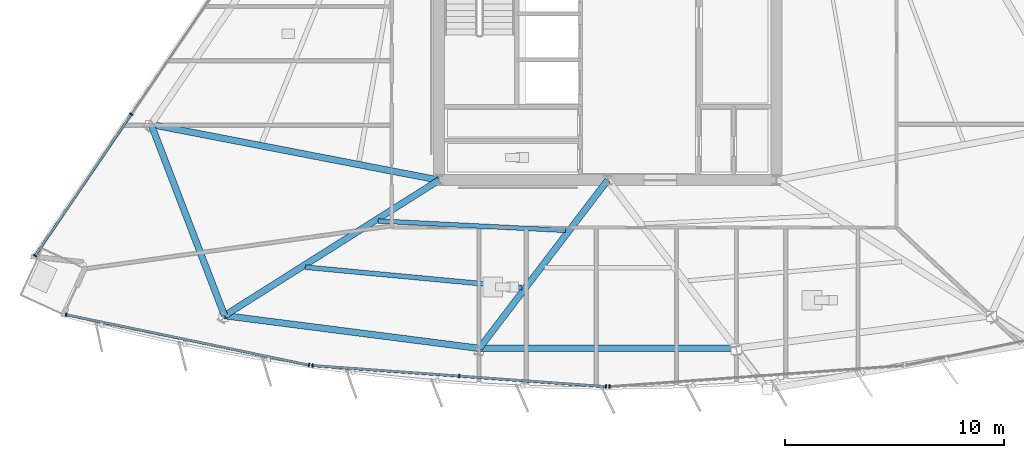
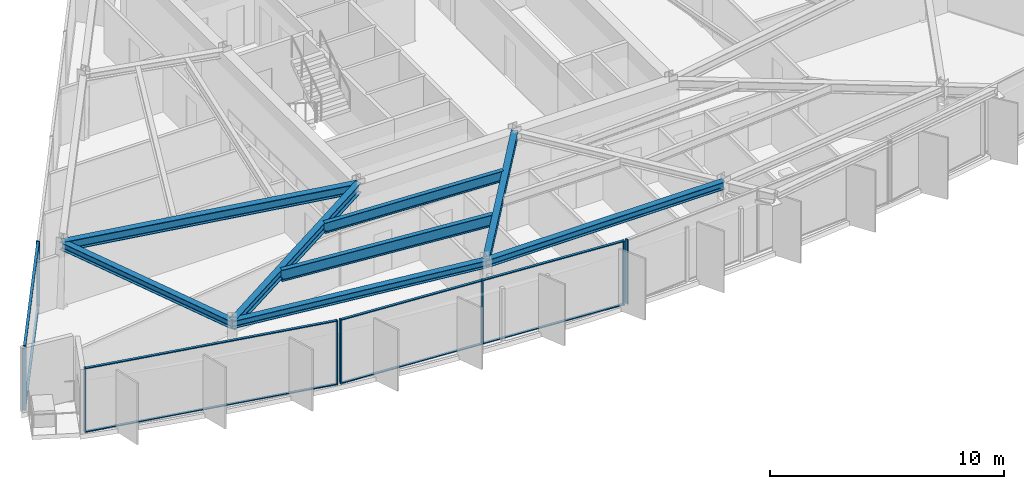
# One storey, part 2 of 15: 16 members, 8 beams, 4 elements without a shape of their own.
"""IFC4 building model written with IfcOpenShell, lengths in metres."""

from ifc_helpers import new_model, si_unit, direction, frame, origin, origin_2d, place, context, subcontext, project, spatial, rectangle, i_section, extrude, material, material_profile, profile_set, type_object, element, aggregate, save


model = new_model("IFC4")

# Units and contexts
model_context = context("Model", 3, precision=1e-05, world=origin(), true_north=direction((0.0, 1.0)))
body_context = subcontext(model_context, "Body", "Model", "MODEL_VIEW")
ifc_project = project(units=[si_unit("LENGTHUNIT", "METRE"), si_unit("AREAUNIT", "SQUARE_METRE"), si_unit("VOLUMEUNIT", "CUBIC_METRE"), si_unit("PLANEANGLEUNIT", "RADIAN"), si_unit("MASSUNIT", "GRAM", prefix="KILO")], contexts=[model_context])

# Site, building, storey
site_placement = place(None, origin())
site = spatial("IfcSite", under=ifc_project, at=site_placement, CompositionType="ELEMENT")
building_placement = place(site_placement, origin())
building = spatial("IfcBuilding", under=site, at=building_placement, Name="Savorim Split Tower", CompositionType="ELEMENT")
storey_placement = place(building_placement, frame((0.0, 0.0, 167.39990234375)))
storey = spatial("IfcBuildingStorey", under=building, at=storey_placement, Name="L44", CompositionType="ELEMENT", Elevation=167.39990234375)

# Beams
ifc_material_1 = material(Name="Steel S355", Category="steel")
ifc_material_profile_1 = material_profile(ifc_material_1, i_section(OverallWidth=0.2099609375, OverallDepth=0.550048828125, WebThickness=0.010986328125, FlangeThickness=0.01708984375, FilletRadius=0.02392578125, at=origin_2d()), Name="IPE 550")
ifc_profile_set_1 = profile_set([ifc_material_profile_1], Name="Steel S355")
beam_type_1 = type_object("IfcBeamType", Name="BM-JST-IPE550", PredefinedType="JOIST", material=ifc_profile_set_1)
beam_1_placement = place(storey_placement, frame((-10.476806640625, -11.263916015625, 3.0751953125), z_axis=(0.998732080166, -0.050341156597, 0.0), x_axis=(0.050341156597, 0.998732080166, 0.0)))
element("IfcBeam", 1, at=beam_1_placement, inside=storey, type_object=beam_type_1, Name="L44 Secondary Floor Joist JS-02", PredefinedType="JOIST", context=body_context, shape_type="SweptSolid", body=[
    extrude(i_section(OverallWidth=0.2099609375, OverallDepth=0.550048828125, WebThickness=0.010986328125, FlangeThickness=0.01708984375, FilletRadius=0.02392578125, at=origin_2d()), origin(), (0.0, 0.0, 1.0), 8.569580078125),
])
ifc_material_profile_2 = material_profile(ifc_material_1, i_section(OverallWidth=0.219970703125, OverallDepth=0.60009765625, WebThickness=0.011962890625, FlangeThickness=0.01904296875, FilletRadius=0.02392578125, at=origin_2d()), Name="IPE 600")
ifc_profile_set_2 = profile_set([ifc_material_profile_2], Name="Steel S355")
beam_type_2 = type_object("IfcBeamType", Name="BM-JST-IPE600", PredefinedType="JOIST", material=ifc_profile_set_2)
beam_2_placement = place(storey_placement, frame((-13.805419921875, -13.373779296875, 3.050048828125), z_axis=(0.995654037002, -0.093129150118, 0.0), x_axis=(0.093129150118, 0.995654037002, 0.0)))
element("IfcBeam", 2, at=beam_2_placement, inside=storey, type_object=beam_type_2, Name="L44 Secondary Floor Joist JS-01", PredefinedType="JOIST", context=body_context, shape_type="SweptSolid", body=[
    extrude(i_section(OverallWidth=0.219970703125, OverallDepth=0.60009765625, WebThickness=0.011962890625, FlangeThickness=0.01904296875, FilletRadius=0.02392578125, at=origin_2d()), origin(), (0.0, 0.0, 1.0), 9.938232421875),
])
ifc_material_profile_3 = material_profile(ifc_material_1, i_section(OverallWidth=0.300048828125, OverallDepth=0.360107421875, WebThickness=0.012451171875, FlangeThickness=0.0224609375, FilletRadius=0.027099609375, at=origin_2d()), Name="HEB 360")
ifc_profile_set_3 = profile_set([ifc_material_profile_3], Name="Steel S355")
beam_type_3 = type_object("IfcBeamType", Name="BM-PRI-HEB360", PredefinedType="BEAM", material=ifc_profile_set_3)
beam_3_placement = place(storey_placement, frame((-5.861328125, -17.07861328125, 3.170166015625), z_axis=(0.606755694111, 0.794888374342, 0.0), x_axis=(-0.794888374342, 0.606755694111, 0.0)))
element("IfcBeam", 3, at=beam_3_placement, inside=storey, type_object=beam_type_3, Name="L44 Primary Floor Girder RG-02", PredefinedType="BEAM", context=body_context, shape_type="SweptSolid", body=[
    extrude(i_section(OverallWidth=0.300048828125, OverallDepth=0.360107421875, WebThickness=0.012451171875, FlangeThickness=0.0224609375, FilletRadius=0.027099609375, at=origin_2d()), origin(), (0.0, 0.0, 1.0), 9.66015625),
])
ifc_material_profile_4 = material_profile(ifc_material_1, i_section(OverallWidth=0.300048828125, OverallDepth=0.5, WebThickness=0.014404296875, FlangeThickness=0.028076171875, FilletRadius=0.027099609375, at=origin_2d()), Name="HEB 500")
ifc_profile_set_4 = profile_set([ifc_material_profile_4], Name="Steel S355")
beam_type_4 = type_object("IfcBeamType", Name="BM-PRI-HEB500", PredefinedType="BEAM", material=ifc_profile_set_4)
beam_4_placement = place(storey_placement, frame((-17.488525390625, -15.585693359375, 3.10009765625), z_axis=(0.845351096755, 0.534211122325, 0.0), x_axis=(-0.534211122325, 0.845351096755, 0.0)))
element("IfcBeam", 4, at=beam_4_placement, inside=storey, type_object=beam_type_4, Name="L44 Primary Floor Girder RG-01", PredefinedType="BEAM", context=body_context, shape_type="SweptSolid", body=[
    extrude(i_section(OverallWidth=0.300048828125, OverallDepth=0.5, WebThickness=0.014404296875, FlangeThickness=0.028076171875, FilletRadius=0.027099609375, at=origin_2d()), origin(), (0.0, 0.0, 1.0), 11.579345703125),
])
beam_5_placement = place(storey_placement, frame((-20.840576171875, -6.858642578125, 3.10009765625), z_axis=(0.981808929705, -0.189871602804, 0.0), x_axis=(0.189871602804, 0.981808929705, 0.0)))
element("IfcBeam", 5, at=beam_5_placement, inside=storey, type_object=beam_type_4, Name="L44 Primary Floor Girder RG-10", PredefinedType="BEAM", context=body_context, shape_type="SweptSolid", body=[
    extrude(i_section(OverallWidth=0.300048828125, OverallDepth=0.5, WebThickness=0.014404296875, FlangeThickness=0.028076171875, FilletRadius=0.027099609375, at=origin_2d()), origin(), (0.0, 0.0, 1.0), 13.384033203125),
])
ifc_material_profile_5 = material_profile(ifc_material_1, i_section(OverallWidth=0.300048828125, OverallDepth=0.389892578125, WebThickness=0.010986328125, FlangeThickness=0.01904296875, FilletRadius=0.027099609375, at=origin_2d()), Name="HEA 400")
ifc_profile_set_5 = profile_set([ifc_material_profile_5], Name="Steel S355")
beam_type_5 = type_object("IfcBeamType", Name="BM-SPN-HEA400", PredefinedType="SPANDREL", material=ifc_profile_set_5)
for number, where, z_axis, x_axis, name in (
    (6, (-17.488525390625, -15.585693359375, 3.155029296875), (0.991857398579, -0.127353448657, 0.0), (0.127353448657, 0.991857398579, 0.0), "L44 Perimeter Spandrel Beam 1"),
    (7, (-5.861328125, -17.07861328125, 3.155029296875), (1.0, 0.0, 0.0), (0.0, 1.0, 0.0), "L44 Perimeter Spandrel Beam 2"),
):
    element("IfcBeam", number, at=place(storey_placement, frame(where, z_axis=z_axis, x_axis=x_axis)), inside=storey, type_object=beam_type_5, Name=name, PredefinedType="SPANDREL", context=body_context, shape_type="SweptSolid", body=[
        extrude(i_section(OverallWidth=0.300048828125, OverallDepth=0.389892578125, WebThickness=0.010986328125, FlangeThickness=0.01904296875, FilletRadius=0.027099609375, at=origin_2d()), origin(), (0.0, 0.0, 1.0), 11.72265625),
    ])
beam_6_placement = place(storey_placement, frame((-20.840576171875, -6.858642578125, 3.155029296875), z_axis=(0.358559049034, -0.933507047834, 0.0), x_axis=(0.933507047834, 0.358559049034, 0.0)))
element("IfcBeam", 8, at=beam_6_placement, inside=storey, type_object=beam_type_5, Name="L44 Perimeter Spandrel Beam 10", PredefinedType="SPANDREL", context=body_context, shape_type="SweptSolid", body=[
    extrude(i_section(OverallWidth=0.300048828125, OverallDepth=0.389892578125, WebThickness=0.010986328125, FlangeThickness=0.01904296875, FilletRadius=0.027099609375, at=origin_2d()), origin(), (0.0, 0.0, 1.0), 9.3486328125),
])

# Curtain wall, members
ifc_material_2 = material(Name="Dark Ceramic-Fritted Insulated Glass", Category="glass")
curtain_wall_type = type_object("IfcCurtainWallType", Name="CW-TWR-FRIT-B", PredefinedType="NOTDEFINED", material=ifc_material_2)
curtain_wall_1_placement = place(storey_placement, origin())
curtain_wall_1 = element("IfcCurtainWall", 9, at=curtain_wall_1_placement, inside=storey, type_object=curtain_wall_type, Name="L44 Curtain Wall CW-L44-SF1", PredefinedType="NOTDEFINED")
ifc_material_3 = material(Name="Charcoal Anodised Aluminium", Category="aluminium")
ifc_material_profile_6 = material_profile(ifc_material_3, rectangle(XDim=0.159912109375, YDim=0.06005859375, at=origin_2d()), Name="ALU-M 160x60")
ifc_profile_set_6 = profile_set([ifc_material_profile_6], Name="Charcoal Anodised Aluminium")
member_type_1 = type_object("IfcMemberType", Name="CWM-160x60", PredefinedType="MULLION", material=ifc_profile_set_6)
member_1_placement = place(storey_placement, frame((-24.722900390625, -15.541259765625, 0.0), z_axis=(0.0, 0.0, 1.0), x_axis=(0.203214073497, 0.979134332118, 0.0)))
member_1 = element("IfcMember", 10, at=member_1_placement, type_object=member_type_1, Name="CW-03 mullion 1", PredefinedType="MULLION", context=body_context, shape_type="SweptSolid", body=[
    extrude(rectangle(XDim=0.159912109375, YDim=0.06005859375, at=origin_2d()), origin(), (0.0, 0.0, 1.0), 3.35009765625),
])
member_2_placement = place(storey_placement, frame((-13.634521484375, -17.842529296875, 0.0), z_axis=(0.0, 0.0, 1.0), x_axis=(0.203214073497, 0.979134332118, 0.0)))
member_2 = element("IfcMember", 11, at=member_2_placement, type_object=member_type_1, Name="CW-03 mullion 2", PredefinedType="MULLION", context=body_context, shape_type="SweptSolid", body=[
    extrude(rectangle(XDim=0.159912109375, YDim=0.06005859375, at=origin_2d()), origin(), (0.0, 0.0, 1.0), 3.35009765625),
])

curtain_wall_2_placement = place(storey_placement, origin())
curtain_wall_2 = element("IfcCurtainWall", 12, at=curtain_wall_2_placement, inside=storey, type_object=curtain_wall_type, Name="L44 Curtain Wall CW-L44-SF2", PredefinedType="NOTDEFINED")
member_3_placement = place(storey_placement, frame((-13.472412109375, -17.865234375, 0.0), z_axis=(0.0, 0.0, 1.0), x_axis=(0.071557434275, 0.997436480985, 0.0)))
member_3 = element("IfcMember", 13, at=member_3_placement, type_object=member_type_1, Name="CW-03 mullion 1", PredefinedType="MULLION", context=body_context, shape_type="SweptSolid", body=[
    extrude(rectangle(XDim=0.159912109375, YDim=0.06005859375, at=origin_2d()), origin(), (0.0, 0.0, 1.0), 3.35009765625),
])
member_4_placement = place(storey_placement, frame((-6.77685546875, -18.345458984375, 0.0), z_axis=(0.0, 0.0, 1.0), x_axis=(0.071557434275, 0.997436480985, 0.0)))
member_4 = element("IfcMember", 14, at=member_4_placement, type_object=member_type_1, Name="CW-03 mullion 2", PredefinedType="MULLION", context=body_context, shape_type="SweptSolid", body=[
    extrude(rectangle(XDim=0.159912109375, YDim=0.06005859375, at=origin_2d()), origin(), (0.0, 0.0, 1.0), 3.35009765625),
])
member_5_placement = place(storey_placement, frame((-0.081298828125, -18.825927734375, 0.0), z_axis=(0.0, 0.0, 1.0), x_axis=(0.071557434275, 0.997436480985, 0.0)))
member_5 = element("IfcMember", 15, at=member_5_placement, type_object=member_type_1, Name="CW-03 mullion 3", PredefinedType="MULLION", context=body_context, shape_type="SweptSolid", body=[
    extrude(rectangle(XDim=0.159912109375, YDim=0.06005859375, at=origin_2d()), origin(), (0.0, 0.0, 1.0), 3.35009765625),
])

# Curtain wall, member
curtain_wall_3_placement = place(storey_placement, origin())
curtain_wall_3 = element("IfcCurtainWall", 16, at=curtain_wall_3_placement, inside=storey, type_object=curtain_wall_type, Name="L44 Curtain Wall CW-L44-SF3", PredefinedType="NOTDEFINED")
member_6_placement = place(storey_placement, frame((0.081298828125, -18.825927734375, 0.0), z_axis=(0.0, 0.0, 1.0), x_axis=(-0.071557434275, 0.997436480985, 0.0)))
member_6 = element("IfcMember", 17, at=member_6_placement, type_object=member_type_1, Name="CW-03 mullion 1", PredefinedType="MULLION", context=body_context, shape_type="SweptSolid", body=[
    extrude(rectangle(XDim=0.159912109375, YDim=0.06005859375, at=origin_2d()), origin(), (0.0, 0.0, 1.0), 3.35009765625),
])
aggregate(curtain_wall_3, [member_6])

# Curtain wall, members
curtain_wall_4_placement = place(storey_placement, origin())
curtain_wall_4 = element("IfcCurtainWall", 18, at=curtain_wall_4_placement, inside=storey, type_object=curtain_wall_type, Name="L44 Curtain Wall CW-L44-WEST", PredefinedType="NOTDEFINED")
member_7_placement = place(storey_placement, frame((-21.74560546875, -6.392333984375, 0.0), z_axis=(0.0, 0.0, 1.0), x_axis=(0.826819248854, -0.562467714384, 0.0)))
member_7 = element("IfcMember", 19, at=member_7_placement, type_object=member_type_1, Name="CW-03 mullion 4", PredefinedType="MULLION", context=body_context, shape_type="SweptSolid", body=[
    extrude(rectangle(XDim=0.159912109375, YDim=0.06005859375, at=origin_2d()), origin(), (0.0, 0.0, 1.0), 3.35009765625),
])
member_8_placement = place(storey_placement, frame((-26.13818359375, -12.849365234375, 0.0), z_axis=(0.0, 0.0, 1.0), x_axis=(0.826819248854, -0.562467714384, 0.0)))
member_8 = element("IfcMember", 20, at=member_8_placement, type_object=member_type_1, Name="CW-03 mullion 5", PredefinedType="MULLION", context=body_context, shape_type="SweptSolid", body=[
    extrude(rectangle(XDim=0.159912109375, YDim=0.06005859375, at=origin_2d()), origin(), (0.0, 0.0, 1.0), 3.35009765625),
])

# Member
ifc_material_profile_7 = material_profile(ifc_material_3, rectangle(XDim=0.1201171875, YDim=0.050048828125, at=origin_2d()), Name="ALU-T 120x50")
ifc_profile_set_7 = profile_set([ifc_material_profile_7], Name="Charcoal Anodised Aluminium")
member_type_2 = type_object("IfcMemberType", Name="CWT-120x50", PredefinedType="USERDEFINED", material=ifc_profile_set_7)
member_9_placement = place(storey_placement, frame((-24.693359375, -15.54736328125, 0.025146484375), z_axis=(0.979134488415, -0.203213320422, 0.0), x_axis=(0.203213320422, 0.979134488415, 0.0)))
member_9 = element("IfcMember", 21, at=member_9_placement, type_object=member_type_2, Name="CW-03 transom 1.1", ObjectType="TRANSOM", PredefinedType="USERDEFINED", context=body_context, shape_type="SweptSolid", body=[
    extrude(rectangle(XDim=0.1201171875, YDim=0.050048828125, at=origin_2d()), origin(), (0.0, 0.0, 1.0), 11.264404296875),
])

member_10_placement = place(storey_placement, frame((-24.693359375, -15.54736328125, 3.3251953125), z_axis=(0.979134488415, -0.203213320422, 0.0), x_axis=(0.203213320422, 0.979134488415, 0.0)))
member_10 = element("IfcMember", 22, at=member_10_placement, type_object=member_type_2, Name="CW-03 transom 1.2", ObjectType="TRANSOM", PredefinedType="USERDEFINED", context=body_context, shape_type="SweptSolid", body=[
    extrude(rectangle(XDim=0.1201171875, YDim=0.050048828125, at=origin_2d()), origin(), (0.0, 0.0, 1.0), 11.264404296875),
])

aggregate(curtain_wall_1, [member_1, member_2, member_9, member_10])

member_11_placement = place(storey_placement, frame((-13.442626953125, -17.8671875, 0.025146484375), z_axis=(0.997436296968, -0.071559999231, 0.0), x_axis=(0.071559999231, 0.997436296968, 0.0)))
member_11 = element("IfcMember", 23, at=member_11_placement, type_object=member_type_2, Name="CW-03 transom 1.1", ObjectType="TRANSOM", PredefinedType="USERDEFINED", context=body_context, shape_type="SweptSolid", body=[
    extrude(rectangle(XDim=0.1201171875, YDim=0.050048828125, at=origin_2d()), origin(), (0.0, 0.0, 1.0), 6.65283203125),
])

member_12_placement = place(storey_placement, frame((-13.442626953125, -17.8671875, 3.3251953125), z_axis=(0.997436296968, -0.071559999231, 0.0), x_axis=(0.071559999231, 0.997436296968, 0.0)))
member_12 = element("IfcMember", 24, at=member_12_placement, type_object=member_type_2, Name="CW-03 transom 1.2", ObjectType="TRANSOM", PredefinedType="USERDEFINED", context=body_context, shape_type="SweptSolid", body=[
    extrude(rectangle(XDim=0.1201171875, YDim=0.050048828125, at=origin_2d()), origin(), (0.0, 0.0, 1.0), 6.65283203125),
])

member_13_placement = place(storey_placement, frame((-6.746826171875, -18.34765625, 0.025146484375), z_axis=(0.997436296968, -0.071559999231, 0.0), x_axis=(0.071559999231, 0.997436296968, 0.0)))
member_13 = element("IfcMember", 25, at=member_13_placement, type_object=member_type_2, Name="CW-03 transom 2.1", ObjectType="TRANSOM", PredefinedType="USERDEFINED", context=body_context, shape_type="SweptSolid", body=[
    extrude(rectangle(XDim=0.1201171875, YDim=0.050048828125, at=origin_2d()), origin(), (0.0, 0.0, 1.0), 6.65283203125),
])

member_14_placement = place(storey_placement, frame((-6.746826171875, -18.34765625, 3.3251953125), z_axis=(0.997436296968, -0.071559999231, 0.0), x_axis=(0.071559999231, 0.997436296968, 0.0)))
member_14 = element("IfcMember", 26, at=member_14_placement, type_object=member_type_2, Name="CW-03 transom 2.2", ObjectType="TRANSOM", PredefinedType="USERDEFINED", context=body_context, shape_type="SweptSolid", body=[
    extrude(rectangle(XDim=0.1201171875, YDim=0.050048828125, at=origin_2d()), origin(), (0.0, 0.0, 1.0), 6.65283203125),
])

aggregate(curtain_wall_2, [member_3, member_4, member_5, member_11, member_12, member_13, member_14])

member_15_placement = place(storey_placement, frame((-21.762451171875, -6.4169921875, 0.025146484375), z_axis=(-0.56245477499, -0.826828051103, 0.0), x_axis=(0.826828051103, -0.56245477499, 0.0)))
member_15 = element("IfcMember", 27, at=member_15_placement, type_object=member_type_2, Name="CW-03 transom 4.1", ObjectType="TRANSOM", PredefinedType="USERDEFINED", context=body_context, shape_type="SweptSolid", body=[
    extrude(rectangle(XDim=0.1201171875, YDim=0.050048828125, at=origin_2d()), origin(), (0.0, 0.0, 1.0), 7.749755859375),
])

member_16_placement = place(storey_placement, frame((-21.762451171875, -6.4169921875, 3.3251953125), z_axis=(-0.56245477499, -0.826828051103, 0.0), x_axis=(0.826828051103, -0.56245477499, 0.0)))
member_16 = element("IfcMember", 28, at=member_16_placement, type_object=member_type_2, Name="CW-03 transom 4.2", ObjectType="TRANSOM", PredefinedType="USERDEFINED", context=body_context, shape_type="SweptSolid", body=[
    extrude(rectangle(XDim=0.1201171875, YDim=0.050048828125, at=origin_2d()), origin(), (0.0, 0.0, 1.0), 7.749755859375),
])

aggregate(curtain_wall_4, [member_7, member_8, member_15, member_16])

save(model, "model.ifc")
